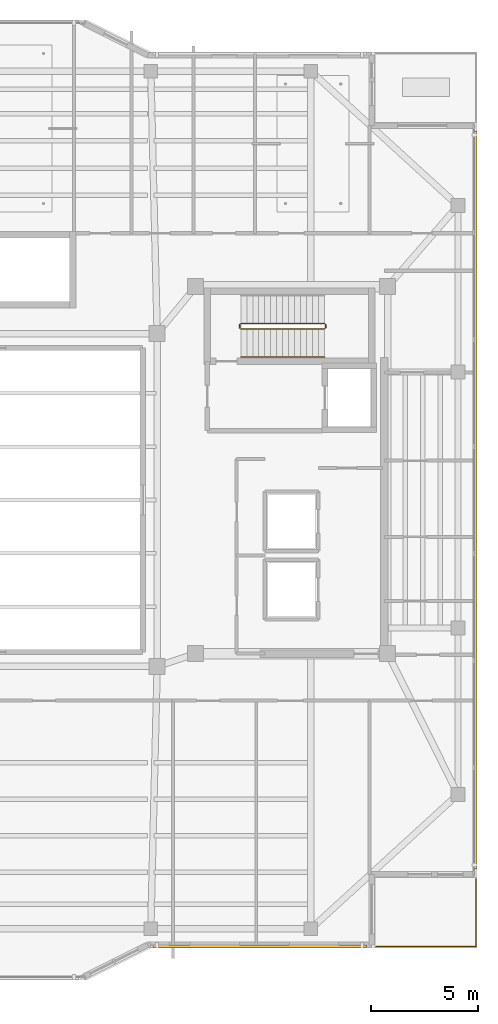
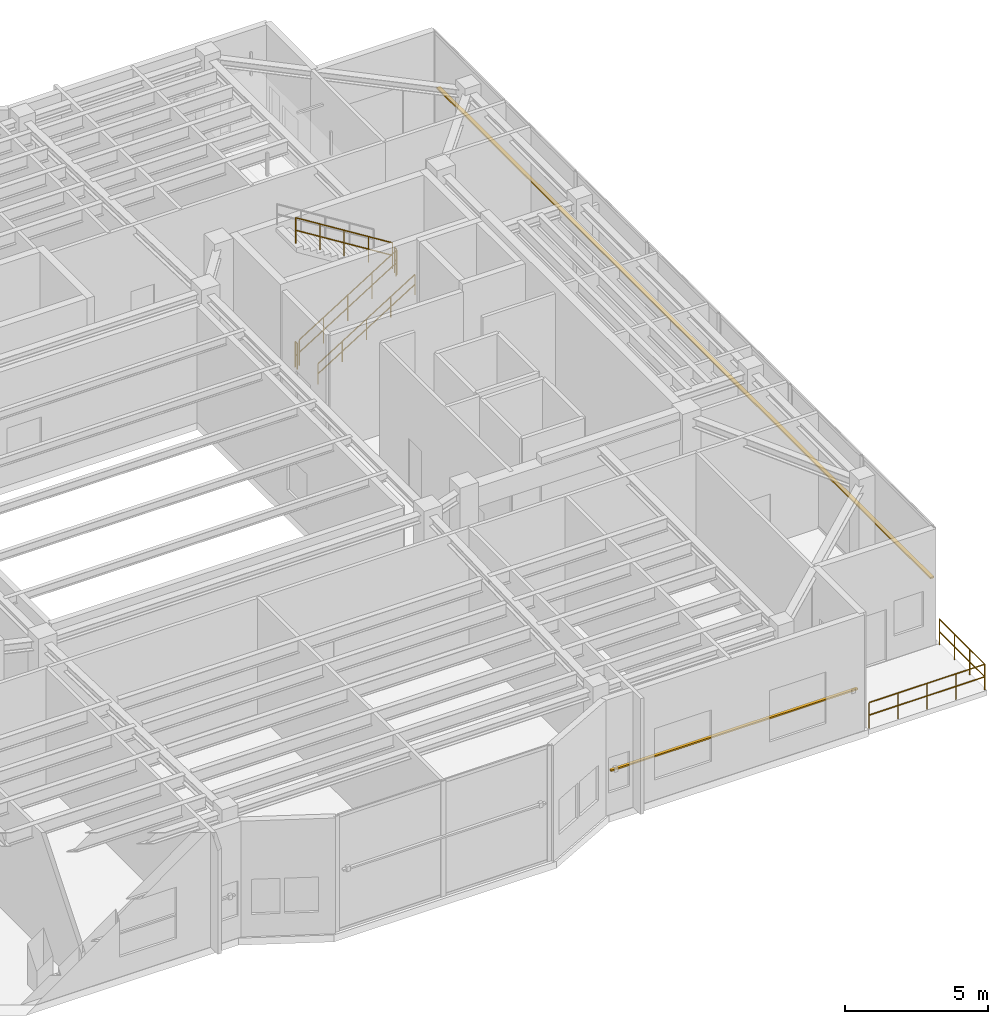
# One storey, part 22 of 23: 7 railings, 2 shading devices.
"""IFC4 building model written with IfcOpenShell, lengths in metres."""

from ifc_helpers import new_model, si_unit, direction, frame, origin, origin_2d, place, context, subcontext, project, spatial, rectangle, circle, extrude, material, material_profile, profile_set, type_object, element, save


model = new_model("IFC4")

# Units and contexts
model_context = context("Model", 3, precision=1e-05, world=origin(), true_north=direction((0.0, 1.0)))
body_context = subcontext(model_context, "Body", "Model", "MODEL_VIEW")
ifc_project = project(units=[si_unit("LENGTHUNIT", "METRE"), si_unit("AREAUNIT", "SQUARE_METRE"), si_unit("VOLUMEUNIT", "CUBIC_METRE"), si_unit("PLANEANGLEUNIT", "RADIAN"), si_unit("MASSUNIT", "GRAM", prefix="KILO")], contexts=[model_context])

# Site, building, storey
site_placement = place(None, origin())
site = spatial("IfcSite", under=ifc_project, at=site_placement, CompositionType="ELEMENT")
building_placement = place(site_placement, origin())
building = spatial("IfcBuilding", under=site, at=building_placement, Name="Tarnavaz Court Tower", CompositionType="ELEMENT")
storey_placement = place(building_placement, frame((0.0, 0.0, 276.300048828125)))
storey = spatial("IfcBuildingStorey", under=building, at=storey_placement, Name="L75", CompositionType="ELEMENT", Elevation=276.300048828125)

# Railings
ifc_material_1 = material(Name="Anodised Aluminium 6063-T6 and Laminated Safety Glass", Category="aluminium")
railing_type_1 = type_object("IfcRailingType", Name="RL-BAL-1120", PredefinedType="BALUSTRADE", material=ifc_material_1)
railing_1_placement = place(storey_placement, frame((18.06005859375, -20.93994140625, 0.0)))
element("IfcRailing", 1, at=railing_1_placement, inside=storey, type_object=railing_type_1, Name="L75 Terrace 3 S Perimeter Balustrade", PredefinedType="BALUSTRADE", context=body_context, shape_type="SweptSolid", body=[
    extrude(circle(Radius=0.02392578125, at=origin_2d()), frame((0.0, 0.0, 1.09619140625), z_axis=(1.0, 0.0, 0.0), x_axis=(0.0, 1.0, 0.0)), (0.0, 0.0, 1.0), 4.679931640625),
    extrude(circle(Radius=0.02392578125, at=origin_2d()), frame((0.0, 0.0, 0.56005859375), z_axis=(1.0, 0.0, 0.0), x_axis=(0.0, 1.0, 0.0)), (0.0, 0.0, 1.0), 4.679931640625),
    extrude(circle(Radius=0.02099609375, at=origin_2d()), origin(), (0.0, 0.0, 1.0), 1.072021484375),
    extrude(circle(Radius=0.02099609375, at=origin_2d()), frame((1.169921875, 0.0, 0.0)), (0.0, 0.0, 1.0), 1.072021484375),
    extrude(circle(Radius=0.02099609375, at=origin_2d()), frame((2.33984375, 0.0, 0.0)), (0.0, 0.0, 1.0), 1.072021484375),
    extrude(circle(Radius=0.02099609375, at=origin_2d()), frame((3.510009765625, 0.0, 0.0)), (0.0, 0.0, 1.0), 1.072021484375),
    extrude(circle(Radius=0.02099609375, at=origin_2d()), frame((4.679931640625, 0.0, 0.0)), (0.0, 0.0, 1.0), 1.072021484375),
])
railing_2_placement = place(storey_placement, frame((22.739990234375, -20.93994140625, 0.0)))
element("IfcRailing", 2, at=railing_2_placement, inside=storey, type_object=railing_type_1, Name="L75 Terrace 3 E Perimeter Balustrade", PredefinedType="BALUSTRADE", context=body_context, shape_type="SweptSolid", body=[
    extrude(circle(Radius=0.02392578125, at=origin_2d()), frame((0.0, 0.0, 1.09619140625), z_axis=(0.0, 1.0, 0.0), x_axis=(-1.0, 0.0, 0.0)), (0.0, 0.0, 1.0), 3.179931640625),
    extrude(circle(Radius=0.02392578125, at=origin_2d()), frame((0.0, 0.0, 0.56005859375), z_axis=(0.0, 1.0, 0.0), x_axis=(-1.0, 0.0, 0.0)), (0.0, 0.0, 1.0), 3.179931640625),
    extrude(circle(Radius=0.02099609375, at=origin_2d()), origin(), (0.0, 0.0, 1.0), 1.072021484375),
    extrude(circle(Radius=0.02099609375, at=origin_2d()), frame((0.0, 1.06005859375, 0.0)), (0.0, 0.0, 1.0), 1.072021484375),
    extrude(circle(Radius=0.02099609375, at=origin_2d()), frame((0.0, 2.119873046875, 0.0)), (0.0, 0.0, 1.0), 1.072021484375),
    extrude(circle(Radius=0.02099609375, at=origin_2d()), frame((0.0, 3.179931640625, 0.0)), (0.0, 0.0, 1.0), 1.072021484375),
])
ifc_material_2 = material(Name="Brushed Stainless Steel", Category="steel")
railing_type_2 = type_object("IfcRailingType", Name="RL-HANDRAIL-900", PredefinedType="HANDRAIL", material=ifc_material_2)
railing_3_placement = place(storey_placement, frame((11.719970703125, 6.699951171875, 0.175048828125)))
element("IfcRailing", 3, at=railing_3_placement, inside=storey, type_object=railing_type_2, Name="L75 ST-E1 stair handrail 1", PredefinedType="HANDRAIL", context=body_context, shape_type="SweptSolid", body=[
    extrude(circle(Radius=0.02392578125, at=origin_2d()), frame((0.0, 0.0, 0.8759765625), z_axis=(0.847998304005, 0.0, 0.529998940003), x_axis=(0.0, 1.0, 0.0)), (0.0, 0.0, 1.0), 4.62255859375),
    extrude(circle(Radius=0.02392578125, at=origin_2d()), frame((0.0, 0.0, 0.449951171875), z_axis=(0.847998304005, 0.0, 0.529998940003), x_axis=(0.0, 1.0, 0.0)), (0.0, 0.0, 1.0), 4.62255859375),
    extrude(circle(Radius=0.02099609375, at=origin_2d()), origin(), (0.0, 0.0, 1.0), 0.851806640625),
    extrude(circle(Radius=0.02099609375, at=origin_2d()), frame((0.97998046875, 0.0, 0.612548828125)), (0.0, 0.0, 1.0), 0.851806640625),
    extrude(circle(Radius=0.02099609375, at=origin_2d()), frame((1.9599609375, 0.0, 1.22509765625)), (0.0, 0.0, 1.0), 0.851806640625),
    extrude(circle(Radius=0.02099609375, at=origin_2d()), frame((2.93994140625, 0.0, 1.83740234375)), (0.0, 0.0, 1.0), 0.851806640625),
    extrude(circle(Radius=0.02099609375, at=origin_2d()), frame((3.919921875, 0.0, 2.449951171875)), (0.0, 0.0, 1.0), 0.851806640625),
])
ifc_material_3 = material(Name="Galvanized Painted Tubular Steel", Category="steel")
railing_type_3 = type_object("IfcRailingType", Name="RL-STGUARD-1120", PredefinedType="GUARDRAIL", material=ifc_material_3)
railing_4_placement = place(storey_placement, frame((11.719970703125, 8.02001953125, 0.175048828125)))
element("IfcRailing", 4, at=railing_4_placement, inside=storey, type_object=railing_type_3, Name="L75 ST-E1 stair guard 1", PredefinedType="GUARDRAIL", context=body_context, shape_type="SweptSolid", body=[
    extrude(circle(Radius=0.02392578125, at=origin_2d()), frame((0.0, 0.0, 1.09619140625), z_axis=(0.847998304005, 0.0, 0.529998940003), x_axis=(0.0, 1.0, 0.0)), (0.0, 0.0, 1.0), 4.62255859375),
    extrude(circle(Radius=0.02392578125, at=origin_2d()), frame((0.0, 0.0, 0.56005859375), z_axis=(0.847998304005, 0.0, 0.529998940003), x_axis=(0.0, 1.0, 0.0)), (0.0, 0.0, 1.0), 4.62255859375),
    extrude(circle(Radius=0.02099609375, at=origin_2d()), origin(), (0.0, 0.0, 1.0), 1.072021484375),
    extrude(circle(Radius=0.02099609375, at=origin_2d()), frame((0.97998046875, 0.0, 0.612548828125)), (0.0, 0.0, 1.0), 1.072021484375),
    extrude(circle(Radius=0.02099609375, at=origin_2d()), frame((1.9599609375, 0.0, 1.22509765625)), (0.0, 0.0, 1.0), 1.072021484375),
    extrude(circle(Radius=0.02099609375, at=origin_2d()), frame((2.93994140625, 0.0, 1.83740234375)), (0.0, 0.0, 1.0), 1.072021484375),
    extrude(circle(Radius=0.02099609375, at=origin_2d()), frame((3.919921875, 0.0, 2.449951171875)), (0.0, 0.0, 1.0), 1.072021484375),
])
railing_5_placement = place(storey_placement, frame((15.68994140625, 8.070068359375, 2.625)))
element("IfcRailing", 5, at=railing_5_placement, inside=storey, type_object=railing_type_3, Name="L75 ST-E1 stair guard 2", PredefinedType="GUARDRAIL", context=body_context, shape_type="SweptSolid", body=[
    extrude(circle(Radius=0.02392578125, at=origin_2d()), frame((0.0, 0.0, 1.09619140625), z_axis=(0.0, 1.0, 0.0), x_axis=(-1.0, 0.0, 0.0)), (0.0, 0.0, 1.0), 0.14990234375),
    extrude(circle(Radius=0.02392578125, at=origin_2d()), frame((0.0, 0.0, 0.56005859375), z_axis=(0.0, 1.0, 0.0), x_axis=(-1.0, 0.0, 0.0)), (0.0, 0.0, 1.0), 0.14990234375),
    extrude(circle(Radius=0.02099609375, at=origin_2d()), origin(), (0.0, 0.0, 1.0), 1.072021484375),
    extrude(circle(Radius=0.02099609375, at=origin_2d()), frame((0.0, 0.14990234375, 0.0)), (0.0, 0.0, 1.0), 1.072021484375),
])
railing_6_placement = place(storey_placement, frame((15.639892578125, 8.27001953125, 2.800048828125)))
element("IfcRailing", 6, at=railing_6_placement, inside=storey, type_object=railing_type_3, Name="L75 ST-E1 stair guard 3", PredefinedType="GUARDRAIL", context=body_context, shape_type="SweptSolid", body=[
    extrude(circle(Radius=0.02392578125, at=origin_2d()), frame((0.0, 0.0, 1.09619140625), z_axis=(-0.847998304005, 0.0, 0.529998940003), x_axis=(0.0, -1.0, 0.0)), (0.0, 0.0, 1.0), 4.62255859375),
    extrude(circle(Radius=0.02392578125, at=origin_2d()), frame((0.0, 0.0, 0.56005859375), z_axis=(-0.847998304005, 0.0, 0.529998940003), x_axis=(0.0, -1.0, 0.0)), (0.0, 0.0, 1.0), 4.62255859375),
    extrude(circle(Radius=0.02099609375, at=origin_2d()), origin(), (0.0, 0.0, 1.0), 1.072021484375),
    extrude(circle(Radius=0.02099609375, at=origin_2d()), frame((-0.97998046875, 0.0, 0.612548828125)), (0.0, 0.0, 1.0), 1.072021484375),
    extrude(circle(Radius=0.02099609375, at=origin_2d()), frame((-1.9599609375, 0.0, 1.22509765625)), (0.0, 0.0, 1.0), 1.072021484375),
    extrude(circle(Radius=0.02099609375, at=origin_2d()), frame((-2.93994140625, 0.0, 1.83740234375)), (0.0, 0.0, 1.0), 1.072021484375),
    extrude(circle(Radius=0.02099609375, at=origin_2d()), frame((-3.919921875, 0.0, 2.449951171875)), (0.0, 0.0, 1.0), 1.072021484375),
])
railing_7_placement = place(storey_placement, frame((11.669921875, 8.070068359375, 0.0)))
element("IfcRailing", 7, at=railing_7_placement, inside=storey, type_object=railing_type_3, Name="L75 ST-E1 stair guard 4", PredefinedType="GUARDRAIL", context=body_context, shape_type="SweptSolid", body=[
    extrude(circle(Radius=0.02392578125, at=origin_2d()), frame((0.0, 0.0, 1.09619140625), z_axis=(0.0, 1.0, 0.0), x_axis=(-1.0, 0.0, 0.0)), (0.0, 0.0, 1.0), 0.14990234375),
    extrude(circle(Radius=0.02392578125, at=origin_2d()), frame((0.0, 0.0, 0.56005859375), z_axis=(0.0, 1.0, 0.0), x_axis=(-1.0, 0.0, 0.0)), (0.0, 0.0, 1.0), 0.14990234375),
    extrude(circle(Radius=0.02099609375, at=origin_2d()), origin(), (0.0, 0.0, 1.0), 1.072021484375),
    extrude(circle(Radius=0.02099609375, at=origin_2d()), frame((0.0, 0.14990234375, 0.0)), (0.0, 0.0, 1.0), 1.072021484375),
])

# Shading devices
ifc_material_4 = material(Name="Kiln-Fired Khorasan Terracotta Ceramic", Category="masonry")
ifc_material_profile_1 = material_profile(ifc_material_4, rectangle(XDim=0.1201171875, YDim=0.06005859375, at=origin_2d()), Name="TC BAGUETTE 120X60")
ifc_profile_set_1 = profile_set([ifc_material_profile_1], Name="Kiln-Fired Khorasan Terracotta Ceramic")
shading_device_type_1 = type_object("IfcShadingDeviceType", Name="SD-BAG-120", PredefinedType="USERDEFINED", material=ifc_profile_set_1)
shading_device_1_placement = place(storey_placement, frame((17.60009765625, -20.909912109375, 1.849853515625), z_axis=(-1.0, 0.0, 0.0), x_axis=(0.0, -1.0, 0.0)))
element("IfcShadingDevice", 8, at=shading_device_1_placement, inside=storey, type_object=shading_device_type_1, Name="L75 Terracotta Baguette Screen FBG15", ObjectType="BAGUETTE", PredefinedType="USERDEFINED", context=body_context, shape_type="SweptSolid", body=[
    extrude(rectangle(XDim=0.1201171875, YDim=0.06005859375, at=origin_2d()), origin(), (0.0, 0.0, 1.0), 10.0),
])
ifc_material_profile_2 = material_profile(ifc_material_4, rectangle(XDim=0.14990234375, YDim=0.06494140625, at=origin_2d()), Name="TC BAGUETTE 150X65")
ifc_profile_set_2 = profile_set([ifc_material_profile_2], Name="Kiln-Fired Khorasan Terracotta Ceramic")
shading_device_type_2 = type_object("IfcShadingDeviceType", Name="SD-BAG-150", PredefinedType="USERDEFINED", material=ifc_profile_set_2)
shading_device_2_placement = place(storey_placement, frame((22.7099609375, 17.300048828125, 2.599853515625), z_axis=(0.0, -1.0, 0.0), x_axis=(1.0, 0.0, 0.0)))
element("IfcShadingDevice", 9, at=shading_device_2_placement, inside=storey, type_object=shading_device_type_2, Name="L75 Terracotta Baguette Screen OBG12", ObjectType="BAGUETTE", PredefinedType="USERDEFINED", context=body_context, shape_type="SweptSolid", body=[
    extrude(rectangle(XDim=0.14990234375, YDim=0.06494140625, at=origin_2d()), origin(), (0.0, 0.0, 1.0), 34.60009765625),
])

save(model, "model.ifc")
